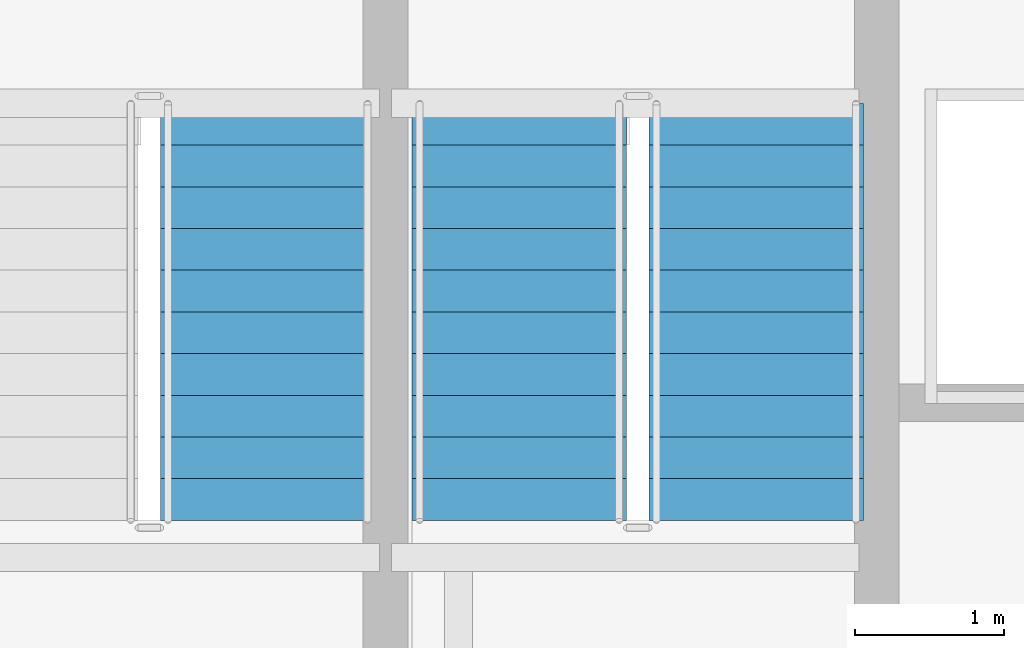
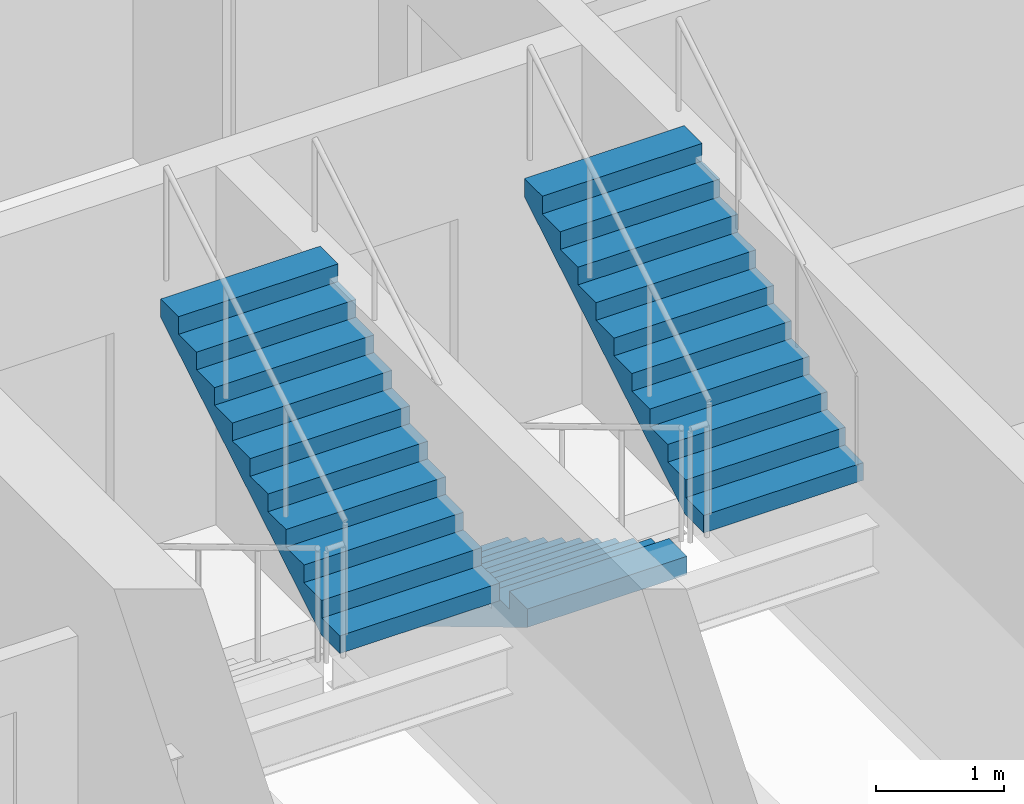
# One storey, part 24 of 29: 3 stair flights, 2 elements without a shape of their own.
"""IFC4 building model written with IfcOpenShell, lengths in metres."""

from ifc_helpers import new_model, si_unit, direction, frame, origin, place, context, subcontext, project, spatial, polyline, outline, extrude, material, layer, layer_set, type_object, element, aggregate, save


model = new_model("IFC4")

# Units and contexts
model_context = context("Model", 3, precision=1e-05, world=origin(), true_north=direction((0.0, 1.0)))
body_context = subcontext(model_context, "Body", "Model", "MODEL_VIEW")
ifc_project = project(units=[si_unit("LENGTHUNIT", "METRE"), si_unit("AREAUNIT", "SQUARE_METRE"), si_unit("VOLUMEUNIT", "CUBIC_METRE"), si_unit("PLANEANGLEUNIT", "RADIAN"), si_unit("MASSUNIT", "GRAM", prefix="KILO")], contexts=[model_context])

# Site, building, storey
site_placement = place(None, origin())
site = spatial("IfcSite", under=ifc_project, at=site_placement, CompositionType="ELEMENT")
building_placement = place(site_placement, origin())
building = spatial("IfcBuilding", under=site, at=building_placement, Name="Solvaryn Broadcast Tower", CompositionType="ELEMENT")
storey_placement = place(building_placement, frame((0.0, 0.0, 124.800048828125)))
storey = spatial("IfcBuildingStorey", under=building, at=storey_placement, Name="L30", CompositionType="ELEMENT", Elevation=124.800048828125)

# Stair, stair flight
ifc_material_1 = material(Name="Concrete f'c 60 MPa", Category="concrete")
stair_type = type_object("IfcStairType", Name="ST-CORE", PredefinedType="HALF_TURN_STAIR", material=ifc_material_1)
stair_1_placement = place(storey_placement, origin())
stair_1 = element("IfcStair", 1, at=stair_1_placement, inside=storey, type_object=stair_type, Name="L30 ST1", PredefinedType="HALF_TURN_STAIR")
ifc_material_2 = material(Name="Concrete f'c 60 MPa", Category="concrete")
ifc_layer = layer(ifc_material_2, 0.159912109375)
ifc_layer_set = layer_set([ifc_layer], Name="SF-CORE")
stair_flight_type = type_object("IfcStairFlightType", Name="SF-CORE", PredefinedType="STRAIGHT", material=ifc_layer_set)
stair_flight_1_placement = place(storey_placement, frame((13.830078125, 33.159912109375, 1.849853515625), z_axis=(0.0, 0.0, 1.0), x_axis=(0.0, 1.0, 0.0)))
stair_flight_1 = element("IfcStairFlight", 2, at=stair_flight_1_placement, type_object=stair_flight_type, Name="ST1 flight 2", NumberOfRisers=11, NumberOfTreads=10, PredefinedType="STRAIGHT", RiserHeight=0.168181818, TreadLength=0.28, context=body_context, shape_type="SweptSolid", body=[
    extrude(outline(polyline([(0.0, 0.0), (0.0, 0.168212890625), (0.280029296875, 0.168212890625), (0.280029296875, 0.33642578125), (0.56005859375, 0.33642578125), (0.56005859375, 0.504638671875), (0.840087890625, 0.504638671875), (0.840087890625, 0.672607421875), (1.1201171875, 0.672607421875), (1.1201171875, 0.8408203125), (1.39990234375, 0.8408203125), (1.39990234375, 1.009033203125), (1.679931640625, 1.009033203125), (1.679931640625, 1.17724609375), (1.9599609375, 1.17724609375), (1.9599609375, 1.345458984375), (2.239990234375, 1.345458984375), (2.239990234375, 1.513671875), (2.52001953125, 1.513671875), (2.52001953125, 1.681884765625), (2.800048828125, 1.681884765625), (2.800048828125, 1.85009765625), (2.800048828125, 1.5068359375), (0.291015625, 0.0), (0.0, 0.0)])), frame((0.0, 0.719970703125, 0.0), z_axis=(0.0, -1.0, 0.0), x_axis=(1.0, 0.0, 0.0)), (0.0, 0.0, 1.0), 1.43994140625),
])
aggregate(stair_1, [stair_flight_1])

# Stair, stair flights
stair_2_placement = place(storey_placement, origin())
stair_2 = element("IfcStair", 3, at=stair_2_placement, inside=storey, type_object=stair_type, Name="L30 ST2", PredefinedType="HALF_TURN_STAIR")
stair_flight_2_placement = place(storey_placement, frame((15.52001953125, 35.9599609375, 0.0), z_axis=(0.0, 0.0, 1.0), x_axis=(0.0, -1.0, 0.0)))
stair_flight_2 = element("IfcStairFlight", 4, at=stair_flight_2_placement, type_object=stair_flight_type, Name="ST2 flight 1", NumberOfRisers=11, NumberOfTreads=10, PredefinedType="STRAIGHT", RiserHeight=0.168181818, TreadLength=0.28, context=body_context, shape_type="SweptSolid", body=[
    extrude(outline(polyline([(0.0, 0.0), (0.0, 0.168212890625), (0.280029296875, 0.168212890625), (0.280029296875, 0.33642578125), (0.56005859375, 0.33642578125), (0.56005859375, 0.504638671875), (0.840087890625, 0.504638671875), (0.840087890625, 0.672607421875), (1.1201171875, 0.672607421875), (1.1201171875, 0.8408203125), (1.39990234375, 0.8408203125), (1.39990234375, 1.009033203125), (1.679931640625, 1.009033203125), (1.679931640625, 1.17724609375), (1.9599609375, 1.17724609375), (1.9599609375, 1.345458984375), (2.239990234375, 1.345458984375), (2.239990234375, 1.513671875), (2.52001953125, 1.513671875), (2.52001953125, 1.681884765625), (2.800048828125, 1.681884765625), (2.800048828125, 1.85009765625), (2.800048828125, 1.5068359375), (0.291015625, 0.0), (0.0, 0.0)])), frame((0.0, 0.719970703125, 0.0), z_axis=(0.0, -1.0, 0.0), x_axis=(1.0, 0.0, 0.0)), (0.0, 0.0, 1.0), 1.43994140625),
])
stair_flight_3_placement = place(storey_placement, frame((17.110107421875, 33.159912109375, 1.849853515625), z_axis=(0.0, 0.0, 1.0), x_axis=(0.0, 1.0, 0.0)))
stair_flight_3 = element("IfcStairFlight", 5, at=stair_flight_3_placement, type_object=stair_flight_type, Name="ST2 flight 2", NumberOfRisers=11, NumberOfTreads=10, PredefinedType="STRAIGHT", RiserHeight=0.168181818, TreadLength=0.28, context=body_context, shape_type="SweptSolid", body=[
    extrude(outline(polyline([(0.0, 0.0), (0.0, 0.168212890625), (0.280029296875, 0.168212890625), (0.280029296875, 0.33642578125), (0.56005859375, 0.33642578125), (0.56005859375, 0.504638671875), (0.840087890625, 0.504638671875), (0.840087890625, 0.672607421875), (1.1201171875, 0.672607421875), (1.1201171875, 0.8408203125), (1.39990234375, 0.8408203125), (1.39990234375, 1.009033203125), (1.679931640625, 1.009033203125), (1.679931640625, 1.17724609375), (1.9599609375, 1.17724609375), (1.9599609375, 1.345458984375), (2.239990234375, 1.345458984375), (2.239990234375, 1.513671875), (2.52001953125, 1.513671875), (2.52001953125, 1.681884765625), (2.800048828125, 1.681884765625), (2.800048828125, 1.85009765625), (2.800048828125, 1.5068359375), (0.291015625, 0.0), (0.0, 0.0)])), frame((0.0, 0.719970703125, 0.0), z_axis=(0.0, -1.0, 0.0), x_axis=(1.0, 0.0, 0.0)), (0.0, 0.0, 1.0), 1.43994140625),
])
aggregate(stair_2, [stair_flight_2, stair_flight_3])

save(model, "model.ifc")
